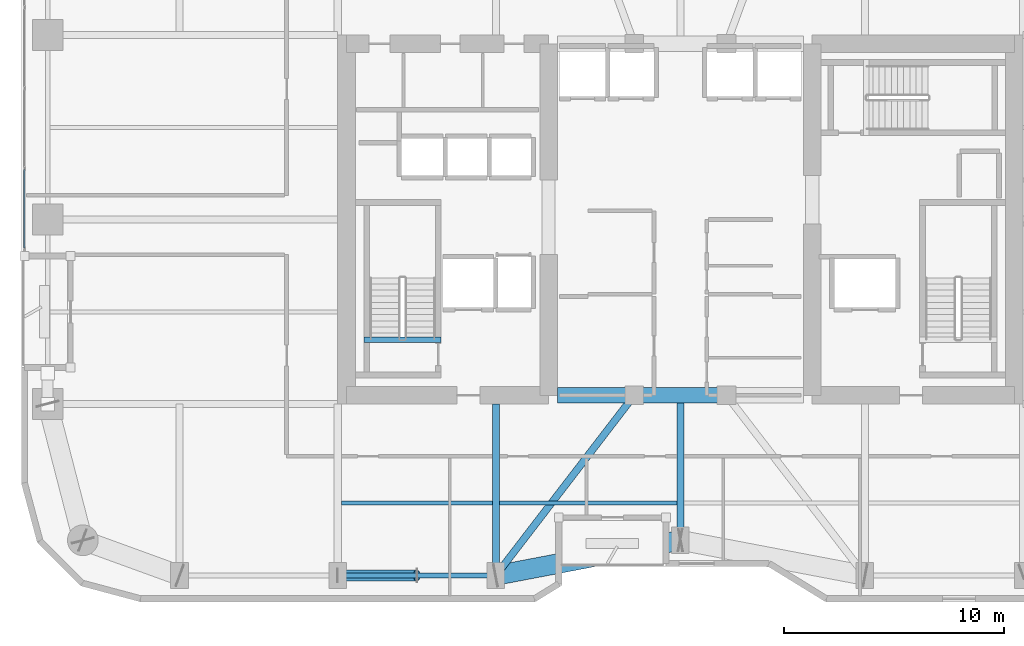
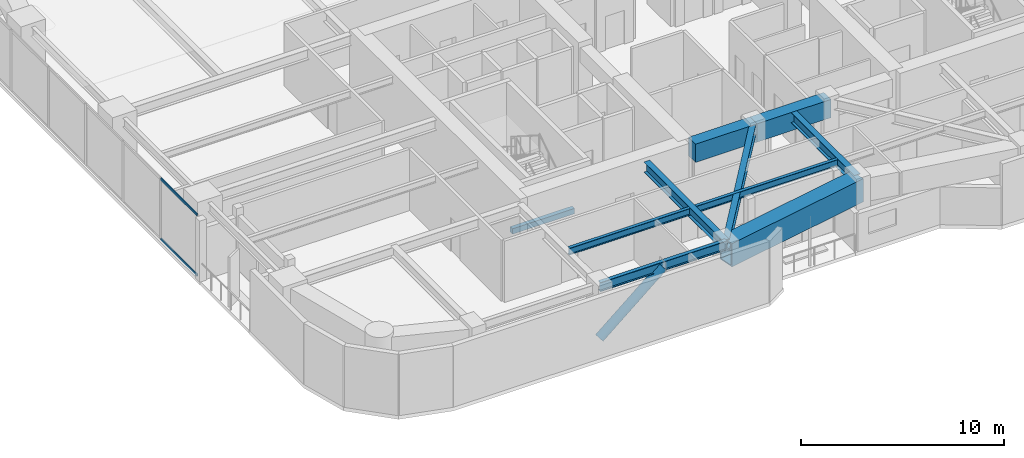
# One storey, part 3 of 30: 10 beams, 3 members, 1 element without a shape of its own.
"""IFC4 building model written with IfcOpenShell, lengths in metres."""

from ifc_helpers import new_model, si_unit, direction, frame, origin, origin_2d, place, context, subcontext, project, spatial, rectangle, hollow_rectangle, hollow_circle, i_section, extrude, material, layer, layer_set, material_profile, profile_set, type_object, element, aggregate, save


model = new_model("IFC4")

# Units and contexts
model_context = context("Model", 3, precision=1e-05, world=origin(), true_north=direction((0.0, 1.0)))
body_context = subcontext(model_context, "Body", "Model", "MODEL_VIEW")
ifc_project = project(units=[si_unit("LENGTHUNIT", "METRE"), si_unit("AREAUNIT", "SQUARE_METRE"), si_unit("VOLUMEUNIT", "CUBIC_METRE"), si_unit("PLANEANGLEUNIT", "RADIAN"), si_unit("MASSUNIT", "GRAM", prefix="KILO")], contexts=[model_context])

# Site, building, storey
site_placement = place(None, origin())
site = spatial("IfcSite", under=ifc_project, at=site_placement, CompositionType="ELEMENT")
building_placement = place(site_placement, origin())
building = spatial("IfcBuilding", under=site, at=building_placement, Name="Kiyonajd Concourse Tower", CompositionType="ELEMENT")
storey_placement = place(building_placement, frame((0.0, 0.0, 154.5)))
storey = spatial("IfcBuildingStorey", under=building, at=storey_placement, Name="L39", CompositionType="ELEMENT", Elevation=154.5)

# Beams
ifc_material_1 = material(Name="Concrete C70/85", Category="concrete")
ifc_material_profile_1 = material_profile(ifc_material_1, rectangle(XDim=0.699951171875, YDim=1.10009765625, at=origin_2d()), Name="RCBM-700x1100")
ifc_profile_set_1 = profile_set([ifc_material_profile_1], Name="Concrete C70/85")
beam_type_1 = type_object("IfcBeamType", Name="BM-COUP-1100", PredefinedType="LINTEL", material=ifc_profile_set_1)
beam_1_placement = place(storey_placement, frame((42.39990234375, 28.0, 3.1298828125), z_axis=(1.0, 0.0, 0.0), x_axis=(0.0, 1.0, 0.0)))
element("IfcBeam", 1, at=beam_1_placement, inside=storey, type_object=beam_type_1, Name="L39 Core Coupling Beam S1", PredefinedType="LINTEL", context=body_context, shape_type="SweptSolid", body=[
    extrude(rectangle(XDim=0.699951171875, YDim=1.10009765625, at=origin_2d()), origin(), (0.0, 0.0, 1.0), 3.5),
])
beam_2_placement = place(storey_placement, frame((45.89990234375, 28.0, 3.1298828125), z_axis=(1.0, 0.0, 0.0), x_axis=(0.0, 1.0, 0.0)))
element("IfcBeam", 2, at=beam_2_placement, inside=storey, type_object=beam_type_1, Name="L39 Core Coupling Beam S2", PredefinedType="LINTEL", context=body_context, shape_type="SweptSolid", body=[
    extrude(rectangle(XDim=0.699951171875, YDim=1.10009765625, at=origin_2d()), origin(), (0.0, 0.0, 1.0), 4.2001953125),
])
ifc_material_2 = material(Name="Steel ASTM A992 Grade 50", Category="steel")
ifc_material_profile_2 = material_profile(ifc_material_2, i_section(OverallWidth=0.180908203125, OverallDepth=0.4169921875, WebThickness=0.010986328125, FlangeThickness=0.018310546875, at=origin_2d()), Name="W410X85")
ifc_profile_set_2 = profile_set([ifc_material_profile_2], Name="Steel ASTM A992 Grade 50")
beam_type_2 = type_object("IfcBeamType", Name="BM-JST-410", PredefinedType="JOIST", material=ifc_profile_set_2)
beam_3_placement = place(storey_placement, frame((32.5634765625, 23.10009765625, 3.471435546875), z_axis=(1.0, 0.0, 0.0), x_axis=(0.0, 1.0, 0.0)))
element("IfcBeam", 3, at=beam_3_placement, inside=storey, type_object=beam_type_2, Name="L39 Secondary Floor Joist", PredefinedType="JOIST", context=body_context, shape_type="SweptSolid", body=[
    extrude(i_section(OverallWidth=0.180908203125, OverallDepth=0.4169921875, WebThickness=0.010986328125, FlangeThickness=0.018310546875, at=origin_2d()), origin(), (0.0, 0.0, 1.0), 6.873046875),
])
beam_4_placement = place(storey_placement, frame((39.763427734375, 23.10009765625, 3.471435546875), z_axis=(1.0, 0.0, 0.0), x_axis=(0.0, 1.0, 0.0)))
element("IfcBeam", 4, at=beam_4_placement, inside=storey, type_object=beam_type_2, Name="L39 Secondary Floor Joist", PredefinedType="JOIST", context=body_context, shape_type="SweptSolid", body=[
    extrude(i_section(OverallWidth=0.180908203125, OverallDepth=0.4169921875, WebThickness=0.010986328125, FlangeThickness=0.018310546875, at=origin_2d()), origin(), (0.0, 0.0, 1.0), 8.072998046875),
])
ifc_material_3 = material(Name="Concrete C50/60", Category="concrete")
ifc_material_profile_3 = material_profile(ifc_material_3, rectangle(XDim=0.239990234375, YDim=0.320068359375, at=origin_2d()), Name="RCBM-240x320")
ifc_profile_set_3 = profile_set([ifc_material_profile_3], Name="Concrete C50/60")
beam_type_3 = type_object("IfcBeamType", Name="BM-LNT-250", PredefinedType="LINTEL", material=ifc_profile_set_3)
beam_5_placement = place(storey_placement, frame((33.590087890625, 30.530029296875, -0.159912109375), z_axis=(1.0, 0.0, 0.0), x_axis=(0.0, 1.0, 0.0)))
element("IfcBeam", 5, at=beam_5_placement, inside=storey, type_object=beam_type_3, Name="L39 Stair ST1 Threshold Support Beam", PredefinedType="LINTEL", context=body_context, shape_type="SweptSolid", body=[
    extrude(rectangle(XDim=0.239990234375, YDim=0.320068359375, at=origin_2d()), origin(), (0.0, 0.0, 1.0), 3.52001953125),
])
ifc_material_profile_4 = material_profile(ifc_material_2, i_section(OverallWidth=0.214111328125, OverallDepth=0.549072265625, WebThickness=0.0146484375, FlangeThickness=0.023681640625, at=origin_2d()), Name="W530X138")
ifc_profile_set_4 = profile_set([ifc_material_profile_4], Name="Steel ASTM A992 Grade 50")
beam_type_4 = type_object("IfcBeamType", Name="BM-SPAN-530A", PredefinedType="SPANDREL", material=ifc_profile_set_4)
beam_6_placement = place(storey_placement, frame((32.39990234375, 19.800048828125, 3.405517578125), z_axis=(1.0, 0.0, 0.0), x_axis=(0.0, 1.0, 0.0)))
element("IfcBeam", 6, at=beam_6_placement, inside=storey, type_object=beam_type_4, Name="L39 Perimeter Bundled Tube Spandrel", PredefinedType="SPANDREL", context=body_context, shape_type="SweptSolid", body=[
    extrude(i_section(OverallWidth=0.214111328125, OverallDepth=0.549072265625, WebThickness=0.0146484375, FlangeThickness=0.023681640625, at=origin_2d()), origin(), (0.0, 0.0, 1.0), 7.2001953125),
])
ifc_material_profile_5 = material_profile(ifc_material_2, i_section(OverallWidth=0.326904296875, OverallDepth=0.6220703125, WebThickness=0.015380859375, FlangeThickness=0.0244140625, at=origin_2d()), Name="W610X195")
ifc_profile_set_5 = profile_set([ifc_material_profile_5], Name="Steel ASTM A992 Grade 50")
beam_type_5 = type_object("IfcBeamType", Name="BM-TWR-610A", PredefinedType="BEAM", material=ifc_profile_set_5)
beam_7_placement = place(storey_placement, frame((39.60009765625, 19.800048828125, 3.368896484375), z_axis=(0.609233709922, 0.792990722956, 0.0), x_axis=(-0.792990722956, 0.609233709922, 0.0)))
element("IfcBeam", 7, at=beam_7_placement, inside=storey, type_object=beam_type_5, Name="L39 Core Tie Girder", PredefinedType="BEAM", context=body_context, shape_type="SweptSolid", body=[
    extrude(i_section(OverallWidth=0.326904296875, OverallDepth=0.6220703125, WebThickness=0.015380859375, FlangeThickness=0.0244140625, at=origin_2d()), origin(), (0.0, 0.0, 1.0), 10.340576171875),
])
beam_8_placement = place(storey_placement, frame((39.60009765625, 19.800048828125, 3.368896484375), z_axis=(0.0, 1.0, 0.0), x_axis=(-1.0, 0.0, 0.0)))
element("IfcBeam", 8, at=beam_8_placement, inside=storey, type_object=beam_type_5, Name="L39 South Lease Girder", PredefinedType="BEAM", context=body_context, shape_type="SweptSolid", body=[
    extrude(i_section(OverallWidth=0.326904296875, OverallDepth=0.6220703125, WebThickness=0.015380859375, FlangeThickness=0.0244140625, at=origin_2d()), origin(), (0.0, 0.0, 1.0), 7.800048828125),
])
beam_9_placement = place(storey_placement, frame((48.0, 21.39990234375, 3.368896484375), z_axis=(0.0, 1.0, 0.0), x_axis=(-1.0, 0.0, 0.0)))
element("IfcBeam", 9, at=beam_9_placement, inside=storey, type_object=beam_type_5, Name="L39 South Ribbon Girder", PredefinedType="BEAM", context=body_context, shape_type="SweptSolid", body=[
    extrude(i_section(OverallWidth=0.326904296875, OverallDepth=0.6220703125, WebThickness=0.015380859375, FlangeThickness=0.0244140625, at=origin_2d()), origin(), (0.0, 0.0, 1.0), 6.60009765625),
])
ifc_material_4 = material(Name="Steel ASTM A572 Grade 50", Category="steel")
ifc_material_profile_6 = material_profile(ifc_material_4, hollow_rectangle(XDim=0.89990234375, YDim=1.39990234375, WallThickness=0.070068359375, at=origin_2d()), Name="BOX-1400x900x70")
ifc_profile_set_6 = profile_set([ifc_material_profile_6], Name="Steel ASTM A572 Grade 50")
beam_type_6 = type_object("IfcBeamType", Name="BM-XFER-1400", PredefinedType="BEAM", material=ifc_profile_set_6)
beam_10_placement = place(storey_placement, frame((39.60009765625, 19.800048828125, 2.97998046875), z_axis=(0.982341315253, 0.187097675953, 0.0), x_axis=(-0.187097675953, 0.982341315253, 0.0)))
element("IfcBeam", 10, at=beam_10_placement, inside=storey, type_object=beam_type_6, Name="L39 Perimeter Bundled Tube Spandrel", PredefinedType="BEAM", context=body_context, shape_type="SweptSolid", body=[
    extrude(hollow_rectangle(XDim=0.89990234375, YDim=1.39990234375, WallThickness=0.070068359375, at=origin_2d()), origin(), (0.0, 0.0, 1.0), 8.55078125),
])

# Curtain wall, members
ifc_material_5 = material(Name="Thermally Broken Anodised Aluminium", Category="aluminium")
ifc_layer = layer(ifc_material_5, 0.179931640625)
ifc_layer_set = layer_set([ifc_layer], Name="Thermally Broken Anodised Aluminium")
curtain_wall_type = type_object("IfcCurtainWallType", Name="CW-SYS-03", PredefinedType="NOTDEFINED", material=ifc_layer_set)
curtain_wall_placement = place(storey_placement, origin())
curtain_wall = element("IfcCurtainWall", 11, at=curtain_wall_placement, inside=storey, type_object=curtain_wall_type, Name="L39 Unitised Curtain Wall CW3", PredefinedType="NOTDEFINED")
ifc_material_profile_7 = material_profile(ifc_material_5, hollow_rectangle(XDim=0.06494140625, YDim=0.139892578125, WallThickness=0.00390625, at=origin_2d()), Name="TRAN-65x140")
ifc_profile_set_7 = profile_set([ifc_material_profile_7], Name="Thermally Broken Anodised Aluminium")
member_type_1 = type_object("IfcMemberType", Name="MB-CW-TRAN1", PredefinedType="USERDEFINED", material=ifc_profile_set_7)
member_1_placement = place(storey_placement, frame((18.139892578125, 34.695068359375, 0.032470703125), z_axis=(0.0, 1.0, 0.0), x_axis=(-1.0, 0.0, 0.0)))
member_1 = element("IfcMember", 12, at=member_1_placement, type_object=member_type_1, Name="CW3 transom 1.1", ObjectType="TRANSOM", PredefinedType="USERDEFINED", context=body_context, shape_type="SweptSolid", body=[
    extrude(hollow_rectangle(XDim=0.06494140625, YDim=0.139892578125, WallThickness=0.00390625, at=origin_2d()), origin(), (0.0, 0.0, 1.0), 3.579345703125),
])
member_2_placement = place(storey_placement, frame((18.139892578125, 34.695068359375, 3.6474609375), z_axis=(0.0, 1.0, 0.0), x_axis=(-1.0, 0.0, 0.0)))
member_2 = element("IfcMember", 13, at=member_2_placement, type_object=member_type_1, Name="CW3 transom 1.2", ObjectType="TRANSOM", PredefinedType="USERDEFINED", context=body_context, shape_type="SweptSolid", body=[
    extrude(hollow_rectangle(XDim=0.06494140625, YDim=0.139892578125, WallThickness=0.00390625, at=origin_2d()), origin(), (0.0, 0.0, 1.0), 3.579345703125),
])
aggregate(curtain_wall, [member_1, member_2])

# Member
ifc_material_6 = material(Name="Steel ASTM A500 Grade C", Category="steel")
ifc_material_profile_8 = material_profile(ifc_material_6, hollow_circle(Radius=0.25390625, WallThickness=0.02197265625, at=origin_2d()), Name="CHS-508x22")
ifc_profile_set_8 = profile_set([ifc_material_profile_8], Name="Steel ASTM A500 Grade C")
member_type_2 = type_object("IfcMemberType", Name="MB-PB-MID", PredefinedType="BRACE", material=ifc_profile_set_8)
member_3_placement = place(storey_placement, frame((32.39990234375, 19.800048828125, 0.300048828125), z_axis=(0.765082043761, 0.0, 0.643932811957), x_axis=(0.0, 1.0, 0.0)))
element("IfcMember", 14, at=member_3_placement, inside=storey, type_object=member_type_2, Name="L39 Upper Zone Hollow Tube Brace PBS", PredefinedType="BRACE", context=body_context, shape_type="SweptSolid", body=[
    extrude(hollow_circle(Radius=0.25390625, WallThickness=0.02197265625, at=origin_2d()), origin(), (0.0, 0.0, 1.0), 4.70556640625),
])

save(model, "model.ifc")
